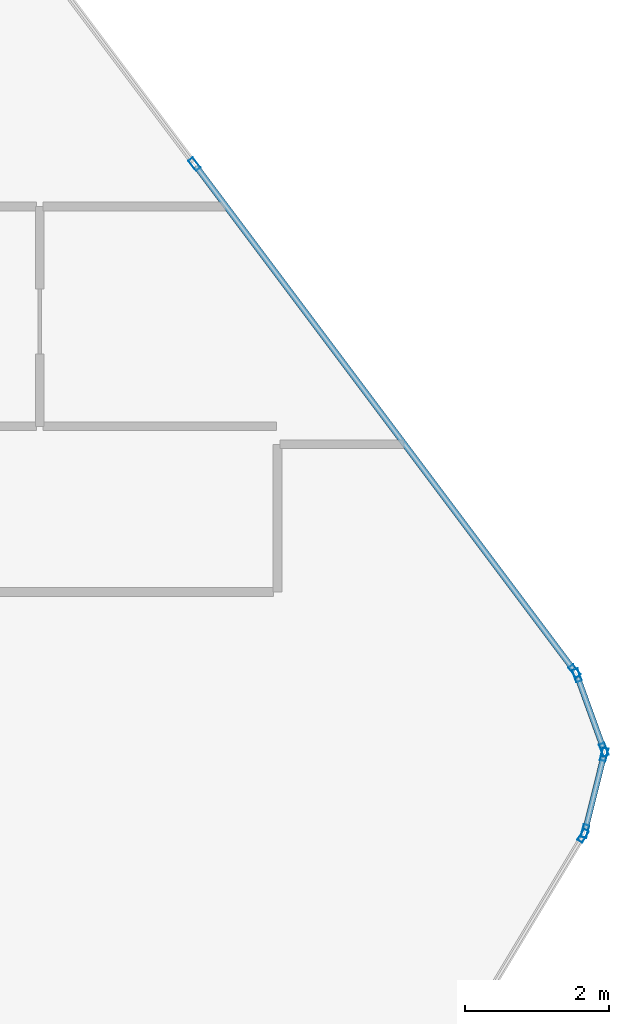
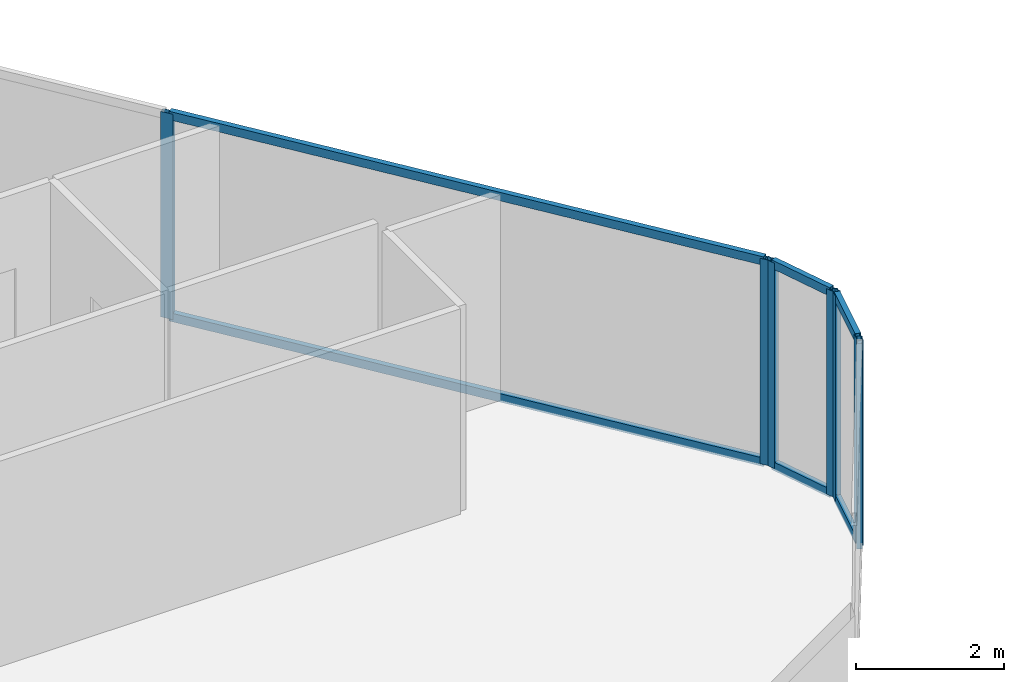
# One storey, part 19 of 31: 13 members, 4 elements without a shape of their own.
"""IFC4 building model written with IfcOpenShell, lengths in metres."""

from ifc_helpers import new_model, si_unit, direction, frame, origin, origin_2d, place, context, subcontext, project, spatial, hollow_rectangle, extrude, material, layer, layer_set, material_profile, profile_set, type_object, element, aggregate, save


model = new_model("IFC4")

# Units and contexts
model_context = context("Model", 3, precision=1e-05, world=origin(), true_north=direction((0.0, 1.0)))
body_context = subcontext(model_context, "Body", "Model", "MODEL_VIEW")
ifc_project = project(units=[si_unit("LENGTHUNIT", "METRE"), si_unit("AREAUNIT", "SQUARE_METRE"), si_unit("VOLUMEUNIT", "CUBIC_METRE"), si_unit("PLANEANGLEUNIT", "RADIAN"), si_unit("MASSUNIT", "GRAM", prefix="KILO")], contexts=[model_context])

# Site, building, storey
site_placement = place(None, origin())
site = spatial("IfcSite", under=ifc_project, at=site_placement, CompositionType="ELEMENT")
building_placement = place(site_placement, origin())
building = spatial("IfcBuilding", under=site, at=building_placement, Name="Keshet Zoharim Tower", CompositionType="ELEMENT")
storey_placement = place(building_placement, frame((0.0, 0.0, 144.60009765625)))
storey = spatial("IfcBuildingStorey", under=building, at=storey_placement, Name="L35", CompositionType="ELEMENT", Elevation=144.60009765625)

# Curtain wall, members
ifc_material = material(Name="Aluminium 6063-T6", Category="aluminium")
ifc_layer = layer(ifc_material, 0.159912109375)
ifc_layer_set = layer_set([ifc_layer], Name="Aluminium 6063-T6")
curtain_wall_type = type_object("IfcCurtainWallType", Name="CW-SYS-03", PredefinedType="NOTDEFINED", material=ifc_layer_set)
curtain_wall_1_placement = place(storey_placement, origin())
curtain_wall_1 = element("IfcCurtainWall", 1, at=curtain_wall_1_placement, inside=storey, type_object=curtain_wall_type, Name="L35 Unitised Curtain Wall 15", PredefinedType="NOTDEFINED")
ifc_material_profile_1 = material_profile(ifc_material, hollow_rectangle(XDim=0.080078125, YDim=0.179931640625, WallThickness=0.00439453125, at=origin_2d()), Name="MUL-80x180")
ifc_profile_set_1 = profile_set([ifc_material_profile_1], Name="Aluminium 6063-T6")
member_type_1 = type_object("IfcMemberType", Name="CWM-M18", PredefinedType="MULLION", material=ifc_profile_set_1)
member_1_placement = place(storey_placement, frame((56.896484375, 46.0380859375, 0.0), z_axis=(0.0, 0.0, 1.0), x_axis=(0.799999999998, 0.600000000002, 0.0)))
member_1 = element("IfcMember", 2, at=member_1_placement, type_object=member_type_1, Name="CW-03 mullion 2", PredefinedType="MULLION", context=body_context, shape_type="SweptSolid", body=[
    extrude(hollow_rectangle(XDim=0.080078125, YDim=0.179931640625, WallThickness=0.00439453125, at=origin_2d()), origin(), (0.0, 0.0, 1.0), 3.385009765625),
])
member_2_placement = place(storey_placement, frame((62.172119140625, 39.00390625, 0.0), z_axis=(0.0, 0.0, 1.0), x_axis=(0.799999999998, 0.600000000002, 0.0)))
member_2 = element("IfcMember", 3, at=member_2_placement, type_object=member_type_1, Name="CW-03 mullion 3", PredefinedType="MULLION", context=body_context, shape_type="SweptSolid", body=[
    extrude(hollow_rectangle(XDim=0.080078125, YDim=0.179931640625, WallThickness=0.00439453125, at=origin_2d()), origin(), (0.0, 0.0, 1.0), 3.385009765625),
])

curtain_wall_2_placement = place(storey_placement, origin())
curtain_wall_2 = element("IfcCurtainWall", 4, at=curtain_wall_2_placement, inside=storey, type_object=curtain_wall_type, Name="L35 Unitised Curtain Wall 16", PredefinedType="NOTDEFINED")
member_3_placement = place(storey_placement, frame((62.204833984375, 38.943115234375, 0.0), z_axis=(0.0, 0.0, 1.0), x_axis=(0.940317877544, 0.340297354046, 0.0)))
member_3 = element("IfcMember", 5, at=member_3_placement, type_object=member_type_1, Name="CW-03 mullion 1", PredefinedType="MULLION", context=body_context, shape_type="SweptSolid", body=[
    extrude(hollow_rectangle(XDim=0.080078125, YDim=0.179931640625, WallThickness=0.00439453125, at=origin_2d()), origin(), (0.0, 0.0, 1.0), 3.385009765625),
])
member_4_placement = place(storey_placement, frame((62.578125, 37.911865234375, 0.0), z_axis=(0.0, 0.0, 1.0), x_axis=(0.940317877544, 0.340297354046, 0.0)))
member_4 = element("IfcMember", 6, at=member_4_placement, type_object=member_type_1, Name="CW-03 mullion 2", PredefinedType="MULLION", context=body_context, shape_type="SweptSolid", body=[
    extrude(hollow_rectangle(XDim=0.080078125, YDim=0.179931640625, WallThickness=0.00439453125, at=origin_2d()), origin(), (0.0, 0.0, 1.0), 3.385009765625),
])

curtain_wall_3_placement = place(storey_placement, origin())
curtain_wall_3 = element("IfcCurtainWall", 7, at=curtain_wall_3_placement, inside=storey, type_object=curtain_wall_type, Name="L35 Unitised Curtain Wall 17", PredefinedType="NOTDEFINED")
member_5_placement = place(storey_placement, frame((62.58154296875, 37.844970703125, 0.0), z_axis=(0.0, 0.0, 1.0), x_axis=(0.970343857447, -0.241728770141, 0.0)))
member_5 = element("IfcMember", 8, at=member_5_placement, type_object=member_type_1, Name="CW-03 mullion 1", PredefinedType="MULLION", context=body_context, shape_type="SweptSolid", body=[
    extrude(hollow_rectangle(XDim=0.080078125, YDim=0.179931640625, WallThickness=0.00439453125, at=origin_2d()), origin(), (0.0, 0.0, 1.0), 3.385009765625),
])
member_6_placement = place(storey_placement, frame((62.31640625, 36.781005859375, 0.0), z_axis=(0.0, 0.0, 1.0), x_axis=(0.970343857447, -0.241728770141, 0.0)))
member_6 = element("IfcMember", 9, at=member_6_placement, type_object=member_type_1, Name="CW-03 mullion 2", PredefinedType="MULLION", context=body_context, shape_type="SweptSolid", body=[
    extrude(hollow_rectangle(XDim=0.080078125, YDim=0.179931640625, WallThickness=0.00439453125, at=origin_2d()), origin(), (0.0, 0.0, 1.0), 3.385009765625),
])

# Curtain wall, member
curtain_wall_4_placement = place(storey_placement, origin())
curtain_wall_4 = element("IfcCurtainWall", 10, at=curtain_wall_4_placement, inside=storey, type_object=curtain_wall_type, Name="L35 Unitised Curtain Wall 18", PredefinedType="NOTDEFINED")
member_7_placement = place(storey_placement, frame((62.2900390625, 36.717041015625, 0.0), z_axis=(0.0, 0.0, 1.0), x_axis=(0.857501477862, -0.514481501576, 0.0)))
member_7 = element("IfcMember", 11, at=member_7_placement, type_object=member_type_1, Name="CW-03 mullion 1", PredefinedType="MULLION", context=body_context, shape_type="SweptSolid", body=[
    extrude(hollow_rectangle(XDim=0.080078125, YDim=0.179931640625, WallThickness=0.00439453125, at=origin_2d()), origin(), (0.0, 0.0, 1.0), 3.385009765625),
])
aggregate(curtain_wall_4, [member_7])

# Member
ifc_material_profile_2 = material_profile(ifc_material, hollow_rectangle(XDim=0.080078125, YDim=0.139892578125, WallThickness=0.00390625, at=origin_2d()), Name="TRN-80x140")
ifc_profile_set_2 = profile_set([ifc_material_profile_2], Name="Aluminium 6063-T6")
member_type_2 = type_object("IfcMemberType", Name="CWT-T14", PredefinedType="USERDEFINED", material=ifc_profile_set_2)
member_8_placement = place(storey_placement, frame((56.91748046875, 46.010009765625, 0.034912109375), z_axis=(0.599991043201, -0.800006717521, 0.0), x_axis=(0.800006717521, 0.599991043201, 0.0)))
member_8 = element("IfcMember", 12, at=member_8_placement, type_object=member_type_2, Name="CW-03 transom 2.1", ObjectType="TRANSOM", PredefinedType="USERDEFINED", context=body_context, shape_type="SweptSolid", body=[
    extrude(hollow_rectangle(XDim=0.080078125, YDim=0.139892578125, WallThickness=0.00390625, at=origin_2d()), origin(), (0.0, 0.0, 1.0), 8.722412109375),
])

member_9_placement = place(storey_placement, frame((56.91748046875, 46.010009765625, 3.349853515625), z_axis=(0.599991043201, -0.800006717521, 0.0), x_axis=(0.800006717521, 0.599991043201, 0.0)))
member_9 = element("IfcMember", 13, at=member_9_placement, type_object=member_type_2, Name="CW-03 transom 2.2", ObjectType="TRANSOM", PredefinedType="USERDEFINED", context=body_context, shape_type="SweptSolid", body=[
    extrude(hollow_rectangle(XDim=0.080078125, YDim=0.139892578125, WallThickness=0.00390625, at=origin_2d()), origin(), (0.0, 0.0, 1.0), 8.722412109375),
])

aggregate(curtain_wall_1, [member_1, member_2, member_8, member_9])

member_10_placement = place(storey_placement, frame((62.216796875, 38.91015625, 0.034912109375), z_axis=(0.340310579984, -0.940313091024, 0.0), x_axis=(0.940313091024, 0.340310579984, 0.0)))
member_10 = element("IfcMember", 14, at=member_10_placement, type_object=member_type_2, Name="CW-03 transom 1.1", ObjectType="TRANSOM", PredefinedType="USERDEFINED", context=body_context, shape_type="SweptSolid", body=[
    extrude(hollow_rectangle(XDim=0.080078125, YDim=0.139892578125, WallThickness=0.00390625, at=origin_2d()), origin(), (0.0, 0.0, 1.0), 1.026611328125),
])

member_11_placement = place(storey_placement, frame((62.216796875, 38.91015625, 3.349853515625), z_axis=(0.340310579984, -0.940313091024, 0.0), x_axis=(0.940313091024, 0.340310579984, 0.0)))
member_11 = element("IfcMember", 15, at=member_11_placement, type_object=member_type_2, Name="CW-03 transom 1.2", ObjectType="TRANSOM", PredefinedType="USERDEFINED", context=body_context, shape_type="SweptSolid", body=[
    extrude(hollow_rectangle(XDim=0.080078125, YDim=0.139892578125, WallThickness=0.00390625, at=origin_2d()), origin(), (0.0, 0.0, 1.0), 1.026611328125),
])

aggregate(curtain_wall_2, [member_3, member_4, member_10, member_11])

member_12_placement = place(storey_placement, frame((62.572998046875, 37.81103515625, 0.034912109375), z_axis=(-0.241640143717, -0.970365931463, 0.0), x_axis=(0.970365931463, -0.241640143717, 0.0)))
member_12 = element("IfcMember", 16, at=member_12_placement, type_object=member_type_2, Name="CW-03 transom 1.1", ObjectType="TRANSOM", PredefinedType="USERDEFINED", context=body_context, shape_type="SweptSolid", body=[
    extrude(hollow_rectangle(XDim=0.080078125, YDim=0.139892578125, WallThickness=0.00390625, at=origin_2d()), origin(), (0.0, 0.0, 1.0), 1.026611328125),
])

member_13_placement = place(storey_placement, frame((62.572998046875, 37.81103515625, 3.349853515625), z_axis=(-0.241640143717, -0.970365931463, 0.0), x_axis=(0.970365931463, -0.241640143717, 0.0)))
member_13 = element("IfcMember", 17, at=member_13_placement, type_object=member_type_2, Name="CW-03 transom 1.2", ObjectType="TRANSOM", PredefinedType="USERDEFINED", context=body_context, shape_type="SweptSolid", body=[
    extrude(hollow_rectangle(XDim=0.080078125, YDim=0.139892578125, WallThickness=0.00390625, at=origin_2d()), origin(), (0.0, 0.0, 1.0), 1.026611328125),
])

aggregate(curtain_wall_3, [member_5, member_6, member_12, member_13])

save(model, "model.ifc")
